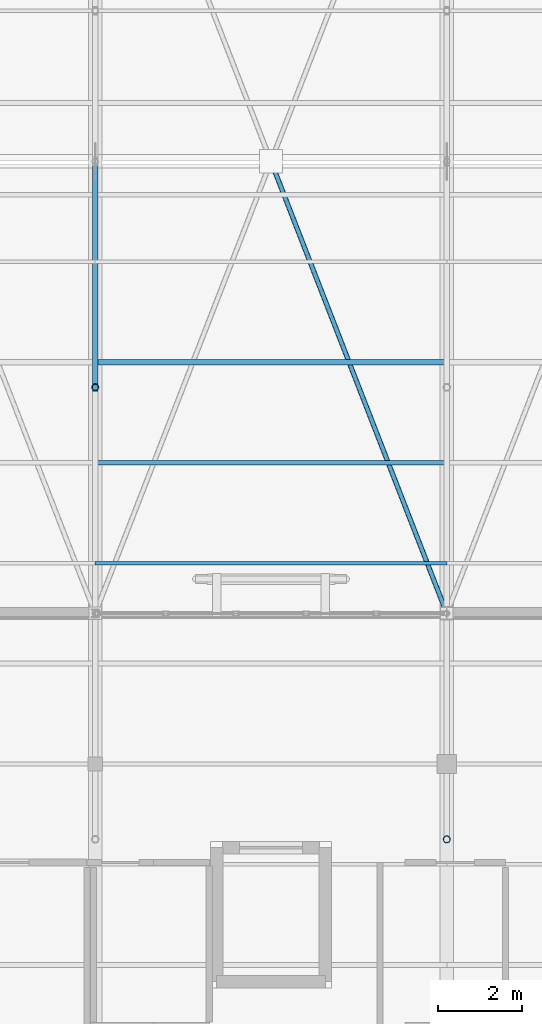
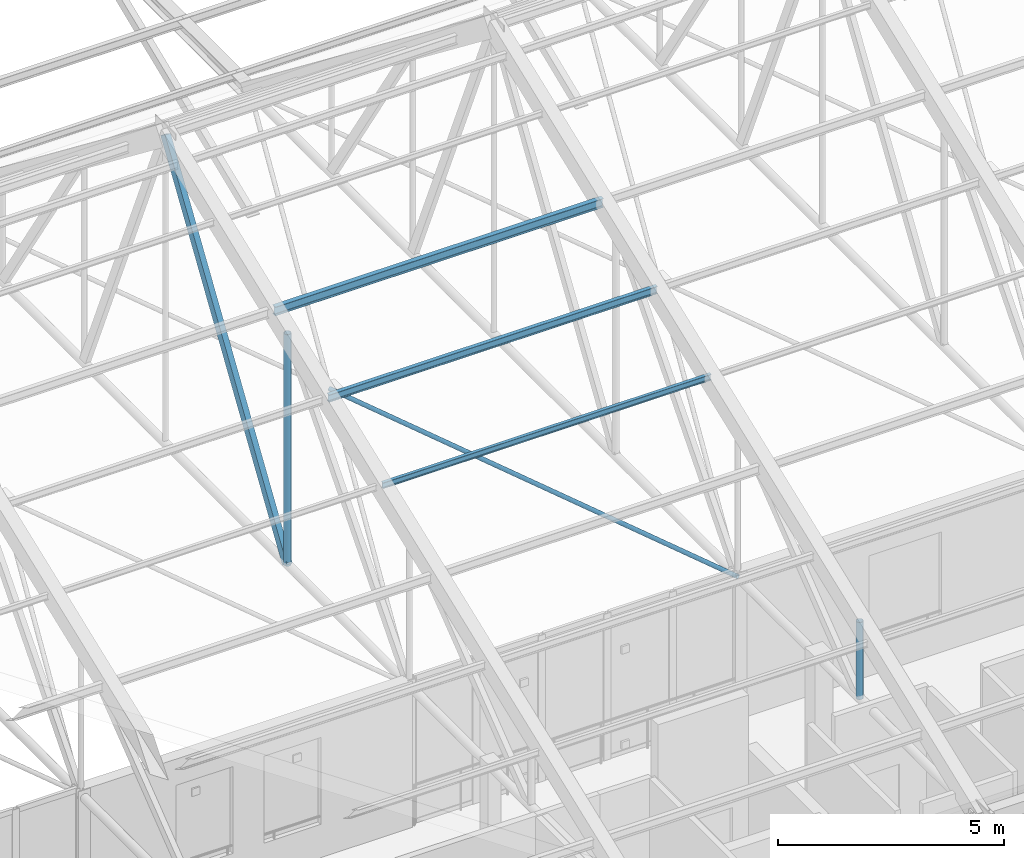
# One storey, part 86 of 217: 7 members.
"""IFC4 building model written with IfcOpenShell, lengths in metres."""

from ifc_helpers import new_model, si_unit, direction, frame, origin, origin_2d, place, context, subcontext, project, spatial, hollow_rectangle, hollow_circle, i_section, extrude, material, material_profile, profile_set, type_object, element, save


model = new_model("IFC4")

# Units and contexts
model_context = context("Model", 3, precision=1e-05, world=origin(), true_north=direction((0.0, 1.0)))
body_context = subcontext(model_context, "Body", "Model", "MODEL_VIEW")
ifc_project = project(units=[si_unit("LENGTHUNIT", "METRE"), si_unit("AREAUNIT", "SQUARE_METRE"), si_unit("VOLUMEUNIT", "CUBIC_METRE"), si_unit("PLANEANGLEUNIT", "RADIAN"), si_unit("MASSUNIT", "GRAM", prefix="KILO")], contexts=[model_context])

# Site, building, storey
site_placement = place(None, origin())
site = spatial("IfcSite", under=ifc_project, at=site_placement, CompositionType="ELEMENT")
building_placement = place(site_placement, origin())
building = spatial("IfcBuilding", under=site, at=building_placement, Name="Mazaris Harbour Polytechnic", CompositionType="ELEMENT")
storey_placement = place(building_placement, frame((0.0, 0.0, 9.60009765625)))
storey = spatial("IfcBuildingStorey", under=building, at=storey_placement, Name="L02", CompositionType="ELEMENT", Elevation=9.60009765625)

# Members
ifc_material_1 = material(Name="Steel S355", Category="steel")
ifc_material_profile_1 = material_profile(ifc_material_1, i_section(OverallWidth=0.08203125, OverallDepth=0.159912109375, WebThickness=0.0048828125, FlangeThickness=0.00732421875, FilletRadius=0.009033203125, at=origin_2d()), Name="IPE 160")
ifc_profile_set_1 = profile_set([ifc_material_profile_1], Name="Steel S355")
member_type_1 = type_object("IfcMemberType", Name="Steel Purlin IPE160", PredefinedType="PURLIN", material=ifc_profile_set_1)
member_1_placement = place(storey_placement, frame((70.800048828125, 87.60009765625, 8.43798828125), z_axis=(1.0, 0.0, 0.0), x_axis=(0.0, 1.0, 0.0)))
element("IfcMember", 1, at=member_1_placement, inside=storey, type_object=member_type_1, Name="V1 Roof Purlin S-51", PredefinedType="PURLIN", context=body_context, shape_type="SweptSolid", body=[
    extrude(i_section(OverallWidth=0.08203125, OverallDepth=0.159912109375, WebThickness=0.0048828125, FlangeThickness=0.00732421875, FilletRadius=0.009033203125, at=origin_2d()), origin(), (0.0, 0.0, 1.0), 8.39990234375),
])
ifc_material_2 = material(Name="Steel S355", Category="steel")
ifc_material_profile_2 = material_profile(ifc_material_2, i_section(OverallWidth=0.10009765625, OverallDepth=0.199951171875, WebThickness=0.005615234375, FlangeThickness=0.008544921875, FilletRadius=0.011962890625, at=origin_2d()), Name="IPE 200")
ifc_profile_set_2 = profile_set([ifc_material_profile_2], Name="Steel S355")
member_type_2 = type_object("IfcMemberType", Name="Steel Purlin IPE200", PredefinedType="PURLIN", material=ifc_profile_set_2)
member_2_placement = place(storey_placement, frame((70.800048828125, 90.0, 9.344970703125), z_axis=(1.0, 0.0, 0.0), x_axis=(0.0, 1.0, 0.0)))
element("IfcMember", 2, at=member_2_placement, inside=storey, type_object=member_type_2, Name="V1 Roof Purlin S-52", PredefinedType="PURLIN", context=body_context, shape_type="SweptSolid", body=[
    extrude(i_section(OverallWidth=0.10009765625, OverallDepth=0.199951171875, WebThickness=0.005615234375, FlangeThickness=0.008544921875, FilletRadius=0.011962890625, at=origin_2d()), origin(), (0.0, 0.0, 1.0), 8.39990234375),
])
ifc_material_3 = material(Name="Steel S355", Category="steel")
ifc_material_profile_3 = material_profile(ifc_material_3, i_section(OverallWidth=0.1201171875, OverallDepth=0.239990234375, WebThickness=0.006103515625, FlangeThickness=0.009765625, FilletRadius=0.014892578125, at=origin_2d()), Name="IPE 240")
ifc_profile_set_3 = profile_set([ifc_material_profile_3], Name="Steel S355")
member_type_3 = type_object("IfcMemberType", Name="Steel Purlin IPE240", PredefinedType="PURLIN", material=ifc_profile_set_3)
member_3_placement = place(storey_placement, frame((70.800048828125, 92.39990234375, 10.251220703125), z_axis=(1.0, 0.0, 0.0), x_axis=(0.0, 1.0, 0.0)))
element("IfcMember", 3, at=member_3_placement, inside=storey, type_object=member_type_3, Name="V1 Roof Purlin S-53", PredefinedType="PURLIN", context=body_context, shape_type="SweptSolid", body=[
    extrude(i_section(OverallWidth=0.1201171875, OverallDepth=0.239990234375, WebThickness=0.006103515625, FlangeThickness=0.009765625, FilletRadius=0.014892578125, at=origin_2d()), origin(), (0.0, 0.0, 1.0), 8.39990234375),
])
ifc_material_4 = material(Name="Steel S355", Category="steel")
ifc_material_profile_4 = material_profile(ifc_material_4, hollow_rectangle(XDim=0.139892578125, YDim=0.239990234375, WallThickness=0.010009765625, at=origin_2d()), Name="RHS 140x240x10.0")
ifc_profile_set_4 = profile_set([ifc_material_profile_4], Name="Steel S355")
member_type_4 = type_object("IfcMemberType", Name="Steel Truss Diagonal RHS140x240", PredefinedType="BRACE", material=ifc_profile_set_4)
member_4_placement = place(storey_placement, frame((70.800048828125, 91.800048828125, 3.75), z_axis=(0.0, 0.543042568824, 0.839705167571), x_axis=(-1.0, 0.0, 0.0)))
element("IfcMember", 4, at=member_4_placement, inside=storey, type_object=member_type_4, Name="Truss 3 Web Diagonal S4", PredefinedType="BRACE", context=body_context, shape_type="SweptSolid", body=[
    extrude(hollow_rectangle(XDim=0.139892578125, YDim=0.239990234375, WallThickness=0.010009765625, at=origin_2d()), origin(), (0.0, 0.0, 1.0), 9.94384765625),
])
ifc_material_5 = material(Name="Steel S355", Category="steel")
ifc_material_profile_5 = material_profile(ifc_material_5, hollow_circle(Radius=0.084228515625, WallThickness=0.008056640625, at=origin_2d()), Name="CHS 168.3x8.0")
ifc_profile_set_5 = profile_set([ifc_material_profile_5], Name="Steel S355")
member_type_5 = type_object("IfcMemberType", Name="Steel Truss Strut CHS168", PredefinedType="STRUT", material=ifc_profile_set_5)
member_5_placement = place(storey_placement, frame((70.800048828125, 91.800048828125, 3.75), z_axis=(0.0, 0.0, 1.0), x_axis=(1.0, 0.0, 0.0)))
element("IfcMember", 5, at=member_5_placement, inside=storey, type_object=member_type_5, Name="Truss 3 Web Post S3", PredefinedType="STRUT", context=body_context, shape_type="SweptSolid", body=[
    extrude(hollow_circle(Radius=0.084228515625, WallThickness=0.008056640625, at=origin_2d()), origin(), (0.0, 0.0, 1.0), 6.262451171875),
])
member_6_placement = place(storey_placement, frame((79.199951171875, 81.0, 3.75), z_axis=(0.0, 0.0, 1.0), x_axis=(1.0, 0.0, 0.0)))
element("IfcMember", 6, at=member_6_placement, inside=storey, type_object=member_type_5, Name="Truss 4 Web Post S1", PredefinedType="STRUT", context=body_context, shape_type="SweptSolid", body=[
    extrude(hollow_circle(Radius=0.084228515625, WallThickness=0.008056640625, at=origin_2d()), origin(), (0.0, 0.0, 1.0), 2.08740234375),
])
ifc_material_6 = material(Name="Steel S355", Category="steel")
ifc_material_profile_6 = material_profile(ifc_material_6, hollow_circle(Radius=0.05712890625, WallThickness=0.00634765625, at=origin_2d()), Name="CHS 114.3x6.3")
ifc_profile_set_6 = profile_set([ifc_material_profile_6], Name="Steel S355")
member_type_6 = type_object("IfcMemberType", Name="Steel Wind Brace CHS114", PredefinedType="BRACE", material=ifc_profile_set_6)
member_7_placement = place(storey_placement, frame((75.0, 97.199951171875, 3.75), z_axis=(0.3624411776, -0.932006648463, 0.0), x_axis=(0.932006648463, 0.3624411776, 0.0)))
element("IfcMember", 7, at=member_7_placement, inside=storey, type_object=member_type_6, Name="V1 Split Roof Wind Brace 3B2", PredefinedType="BRACE", context=body_context, shape_type="SweptSolid", body=[
    extrude(hollow_circle(Radius=0.05712890625, WallThickness=0.00634765625, at=origin_2d()), origin(), (0.0, 0.0, 1.0), 11.587890625),
])

save(model, "model.ifc")
